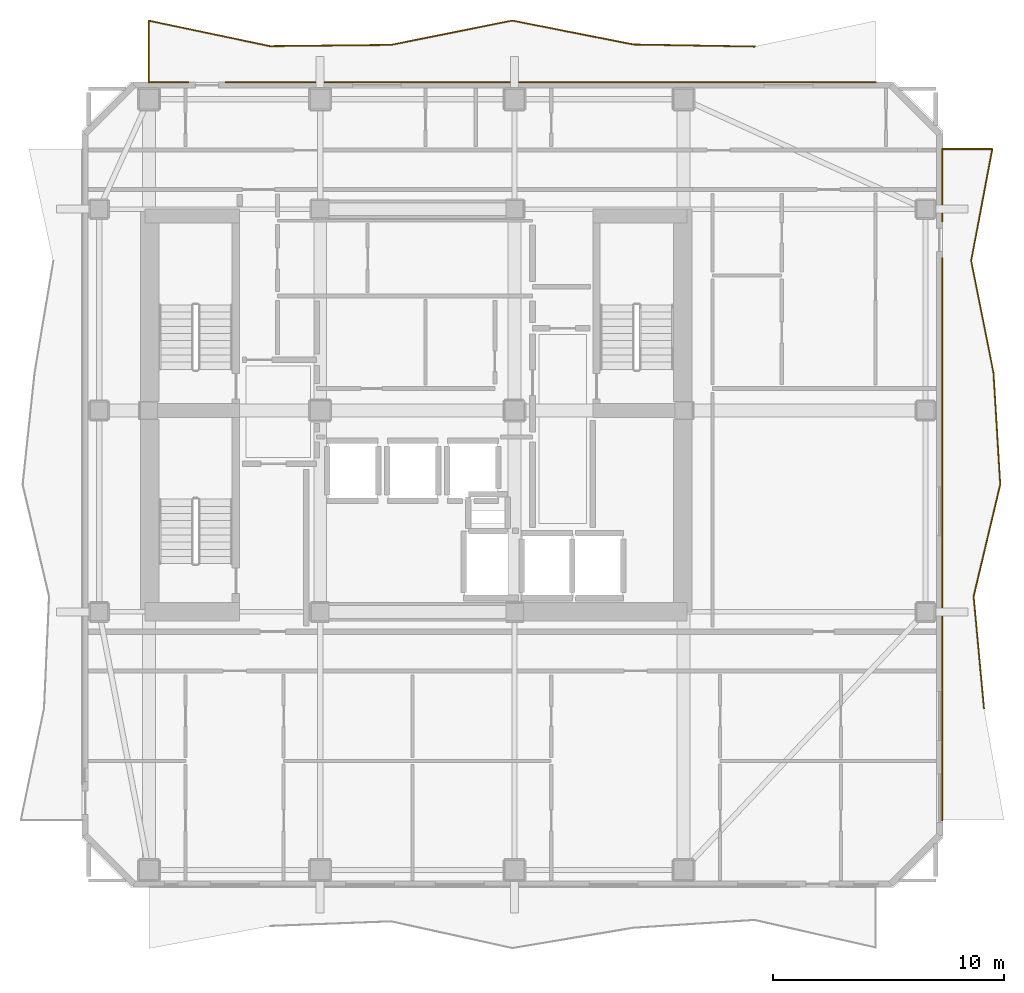
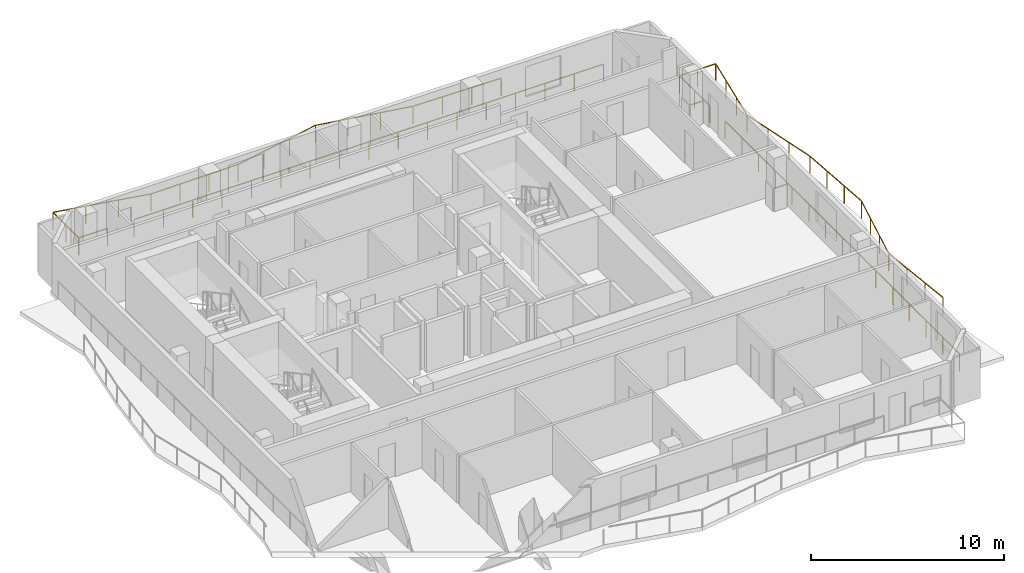
# One storey, part 9 of 9: 4 railings.
"""IFC4 building model written with IfcOpenShell, lengths in metres."""

from ifc_helpers import new_model, si_unit, direction, frame, origin, origin_2d, place, context, subcontext, project, spatial, rectangle, extrude, material, type_object, element, save


model = new_model("IFC4")

# Units and contexts
model_context = context("Model", 3, precision=1e-05, world=origin(), true_north=direction((0.0, 1.0)))
body_context = subcontext(model_context, "Body", "Model", "MODEL_VIEW")
ifc_project = project(units=[si_unit("LENGTHUNIT", "METRE"), si_unit("AREAUNIT", "SQUARE_METRE"), si_unit("VOLUMEUNIT", "CUBIC_METRE"), si_unit("PLANEANGLEUNIT", "RADIAN"), si_unit("MASSUNIT", "GRAM", prefix="KILO")], contexts=[model_context])

# Site, building, storey
site_placement = place(None, origin())
site = spatial("IfcSite", under=ifc_project, at=site_placement, CompositionType="ELEMENT")
building_placement = place(site_placement, origin())
building = spatial("IfcBuilding", under=site, at=building_placement, Name="Solanera Arch Residences", CompositionType="ELEMENT")
storey_placement = place(building_placement, frame((0.0, 0.0, 213.39990234375)))
storey = spatial("IfcBuildingStorey", under=building, at=storey_placement, Name="L62", CompositionType="ELEMENT", Elevation=213.39990234375)

# Railings
ifc_material = material(Name="Steel S355 (ASTM A992 / A572 Grade 50)", Category="steel")
railing_type = type_object("IfcRailingType", Name="Balustrade Railing BL-1100", PredefinedType="BALUSTRADE", material=ifc_material)
railing_1_placement = place(storey_placement, frame((39.56689453125, 46.429931640625, 0.0)))
element("IfcRailing", 1, at=railing_1_placement, inside=storey, type_object=railing_type, Name="L62 N Balcony Balustrade 1", PredefinedType="BALUSTRADE", context=body_context, shape_type="SweptSolid", body=[
    extrude(rectangle(XDim=0.048095703125, YDim=0.048095703125, at=origin_2d()), frame((0.0, 0.0, 1.09619140625), z_axis=(-0.999858249851, 0.016836870426, 0.0), x_axis=(-0.016836870426, -0.999858249851, 0.0)), (0.0, 0.0, 1.0), 5.234619140625),
    extrude(rectangle(XDim=0.048095703125, YDim=0.048095703125, at=origin_2d()), frame((-5.23388671875, 0.088134765625, 1.09619140625), z_axis=(-0.981103535694, 0.193483467639, 0.0), x_axis=(-0.193483467639, -0.981103535694, 0.0)), (0.0, 0.0, 1.0), 5.333740234375),
    extrude(rectangle(XDim=0.048095703125, YDim=0.048095703125, at=origin_2d()), frame((-10.466796875, 1.1201171875, 1.09619140625), z_axis=(-0.980492610512, -0.196555948093, 0.0), x_axis=(0.196555948093, -0.980492610512, 0.0)), (0.0, 0.0, 1.0), 5.337158203125),
    extrude(rectangle(XDim=0.048095703125, YDim=0.048095703125, at=origin_2d()), frame((-15.699951171875, 0.071044921875, 1.09619140625), z_axis=(-0.999944928028, -0.010494804031, 0.0), x_axis=(0.010494804031, -0.999944928028, 0.0)), (0.0, 0.0, 1.0), 5.234130859375),
    extrude(rectangle(XDim=0.048095703125, YDim=0.048095703125, at=origin_2d()), frame((-20.933837890625, 0.01611328125, 1.09619140625), z_axis=(-0.978619966934, 0.205676834665, 0.0), x_axis=(-0.205676834665, -0.978619966934, 0.0)), (0.0, 0.0, 1.0), 5.347412109375),
    extrude(rectangle(XDim=0.048095703125, YDim=0.048095703125, at=origin_2d()), frame((-26.1669921875, 1.115966796875, 1.09619140625), z_axis=(0.0, -1.0, 0.0), x_axis=(1.0, 0.0, 0.0)), (0.0, 0.0, 1.0), 2.666015625),
    extrude(rectangle(XDim=0.048095703125, YDim=0.048095703125, at=origin_2d()), frame((-26.1669921875, -1.550048828125, 1.09619140625), z_axis=(1.0, 0.0, 0.0), x_axis=(0.0, 1.0, 0.0)), (0.0, 0.0, 1.0), 1.710205078125),
    extrude(rectangle(XDim=0.0419921875, YDim=0.0419921875, at=origin_2d()), origin(), (0.0, 0.0, 1.0), 1.072021484375),
    extrude(rectangle(XDim=0.0419921875, YDim=0.0419921875, at=origin_2d()), frame((-1.74462890625, 0.029296875, 0.0)), (0.0, 0.0, 1.0), 1.072021484375),
    extrude(rectangle(XDim=0.0419921875, YDim=0.0419921875, at=origin_2d()), frame((-3.4892578125, 0.058837890625, 0.0)), (0.0, 0.0, 1.0), 1.072021484375),
    extrude(rectangle(XDim=0.0419921875, YDim=0.0419921875, at=origin_2d()), frame((-5.23388671875, 0.088134765625, 0.0)), (0.0, 0.0, 1.0), 1.072021484375),
    extrude(rectangle(XDim=0.0419921875, YDim=0.0419921875, at=origin_2d()), frame((-6.978271484375, 0.43212890625, 0.0)), (0.0, 0.0, 1.0), 1.072021484375),
    extrude(rectangle(XDim=0.0419921875, YDim=0.0419921875, at=origin_2d()), frame((-8.722412109375, 0.776123046875, 0.0)), (0.0, 0.0, 1.0), 1.072021484375),
    extrude(rectangle(XDim=0.0419921875, YDim=0.0419921875, at=origin_2d()), frame((-10.466796875, 1.1201171875, 0.0)), (0.0, 0.0, 1.0), 1.072021484375),
    extrude(rectangle(XDim=0.0419921875, YDim=0.0419921875, at=origin_2d()), frame((-12.211181640625, 0.7705078125, 0.0)), (0.0, 0.0, 1.0), 1.072021484375),
    extrude(rectangle(XDim=0.0419921875, YDim=0.0419921875, at=origin_2d()), frame((-13.95556640625, 0.420654296875, 0.0)), (0.0, 0.0, 1.0), 1.072021484375),
    extrude(rectangle(XDim=0.0419921875, YDim=0.0419921875, at=origin_2d()), frame((-15.699951171875, 0.071044921875, 0.0)), (0.0, 0.0, 1.0), 1.072021484375),
    extrude(rectangle(XDim=0.0419921875, YDim=0.0419921875, at=origin_2d()), frame((-17.444580078125, 0.052734375, 0.0)), (0.0, 0.0, 1.0), 1.072021484375),
    extrude(rectangle(XDim=0.0419921875, YDim=0.0419921875, at=origin_2d()), frame((-19.189208984375, 0.034423828125, 0.0)), (0.0, 0.0, 1.0), 1.072021484375),
    extrude(rectangle(XDim=0.0419921875, YDim=0.0419921875, at=origin_2d()), frame((-20.933837890625, 0.01611328125, 0.0)), (0.0, 0.0, 1.0), 1.072021484375),
    extrude(rectangle(XDim=0.0419921875, YDim=0.0419921875, at=origin_2d()), frame((-22.67822265625, 0.3828125, 0.0)), (0.0, 0.0, 1.0), 1.072021484375),
    extrude(rectangle(XDim=0.0419921875, YDim=0.0419921875, at=origin_2d()), frame((-24.422607421875, 0.749267578125, 0.0)), (0.0, 0.0, 1.0), 1.072021484375),
    extrude(rectangle(XDim=0.0419921875, YDim=0.0419921875, at=origin_2d()), frame((-26.1669921875, 1.115966796875, 0.0)), (0.0, 0.0, 1.0), 1.072021484375),
    extrude(rectangle(XDim=0.0419921875, YDim=0.0419921875, at=origin_2d()), frame((-26.1669921875, -0.217041015625, 0.0)), (0.0, 0.0, 1.0), 1.072021484375),
    extrude(rectangle(XDim=0.0419921875, YDim=0.0419921875, at=origin_2d()), frame((-26.1669921875, -1.550048828125, 0.0)), (0.0, 0.0, 1.0), 1.072021484375),
    extrude(rectangle(XDim=0.0419921875, YDim=0.0419921875, at=origin_2d()), frame((-24.456787109375, -1.550048828125, 0.0)), (0.0, 0.0, 1.0), 1.072021484375),
])
railing_2_placement = place(storey_placement, frame((16.7099609375, 44.8798828125, 0.0)))
element("IfcRailing", 2, at=railing_2_placement, inside=storey, type_object=railing_type, Name="L62 N Balcony Balustrade 2", PredefinedType="BALUSTRADE", context=body_context, shape_type="SweptSolid", body=[
    extrude(rectangle(XDim=0.048095703125, YDim=0.048095703125, at=origin_2d()), frame((0.0, 0.0, 1.09619140625), z_axis=(1.0, 0.0, 0.0), x_axis=(0.0, 1.0, 0.0)), (0.0, 0.0, 1.0), 28.090087890625),
    extrude(rectangle(XDim=0.0419921875, YDim=0.0419921875, at=origin_2d()), origin(), (0.0, 0.0, 1.0), 1.072021484375),
    extrude(rectangle(XDim=0.0419921875, YDim=0.0419921875, at=origin_2d()), frame((1.755615234375, 0.0, 0.0)), (0.0, 0.0, 1.0), 1.072021484375),
    extrude(rectangle(XDim=0.0419921875, YDim=0.0419921875, at=origin_2d()), frame((3.51123046875, 0.0, 0.0)), (0.0, 0.0, 1.0), 1.072021484375),
    extrude(rectangle(XDim=0.0419921875, YDim=0.0419921875, at=origin_2d()), frame((5.266845703125, 0.0, 0.0)), (0.0, 0.0, 1.0), 1.072021484375),
    extrude(rectangle(XDim=0.0419921875, YDim=0.0419921875, at=origin_2d()), frame((7.0224609375, 0.0, 0.0)), (0.0, 0.0, 1.0), 1.072021484375),
    extrude(rectangle(XDim=0.0419921875, YDim=0.0419921875, at=origin_2d()), frame((8.778076171875, 0.0, 0.0)), (0.0, 0.0, 1.0), 1.072021484375),
    extrude(rectangle(XDim=0.0419921875, YDim=0.0419921875, at=origin_2d()), frame((10.53369140625, 0.0, 0.0)), (0.0, 0.0, 1.0), 1.072021484375),
    extrude(rectangle(XDim=0.0419921875, YDim=0.0419921875, at=origin_2d()), frame((12.289306640625, 0.0, 0.0)), (0.0, 0.0, 1.0), 1.072021484375),
    extrude(rectangle(XDim=0.0419921875, YDim=0.0419921875, at=origin_2d()), frame((14.044921875, 0.0, 0.0)), (0.0, 0.0, 1.0), 1.072021484375),
    extrude(rectangle(XDim=0.0419921875, YDim=0.0419921875, at=origin_2d()), frame((15.80078125, 0.0, 0.0)), (0.0, 0.0, 1.0), 1.072021484375),
    extrude(rectangle(XDim=0.0419921875, YDim=0.0419921875, at=origin_2d()), frame((17.556396484375, 0.0, 0.0)), (0.0, 0.0, 1.0), 1.072021484375),
    extrude(rectangle(XDim=0.0419921875, YDim=0.0419921875, at=origin_2d()), frame((19.31201171875, 0.0, 0.0)), (0.0, 0.0, 1.0), 1.072021484375),
    extrude(rectangle(XDim=0.0419921875, YDim=0.0419921875, at=origin_2d()), frame((21.067626953125, 0.0, 0.0)), (0.0, 0.0, 1.0), 1.072021484375),
    extrude(rectangle(XDim=0.0419921875, YDim=0.0419921875, at=origin_2d()), frame((22.8232421875, 0.0, 0.0)), (0.0, 0.0, 1.0), 1.072021484375),
    extrude(rectangle(XDim=0.0419921875, YDim=0.0419921875, at=origin_2d()), frame((24.578857421875, 0.0, 0.0)), (0.0, 0.0, 1.0), 1.072021484375),
    extrude(rectangle(XDim=0.0419921875, YDim=0.0419921875, at=origin_2d()), frame((26.33447265625, 0.0, 0.0)), (0.0, 0.0, 1.0), 1.072021484375),
    extrude(rectangle(XDim=0.0419921875, YDim=0.0419921875, at=origin_2d()), frame((28.090087890625, 0.0, 0.0)), (0.0, 0.0, 1.0), 1.072021484375),
])
railing_3_placement = place(storey_placement, frame((49.48291015625, 17.8330078125, 0.0)))
element("IfcRailing", 3, at=railing_3_placement, inside=storey, type_object=railing_type, Name="L62 E Balcony Balustrade 1", PredefinedType="BALUSTRADE", context=body_context, shape_type="SweptSolid", body=[
    extrude(rectangle(XDim=0.048095703125, YDim=0.048095703125, at=origin_2d()), frame((0.0, 0.0, 1.09619140625), z_axis=(-0.092281313669, 0.995732975826, 0.0), x_axis=(-0.995732975826, -0.092281313669, 0.0)), (0.0, 0.0, 1.0), 4.854736328125),
    extrude(rectangle(XDim=0.048095703125, YDim=0.048095703125, at=origin_2d()), frame((-0.447998046875, 4.833984375, 1.09619140625), z_axis=(0.231698033775, 0.972787757501, 0.0), x_axis=(-0.972787757501, 0.231698033775, 0.0)), (0.0, 0.0, 1.0), 4.96826171875),
    extrude(rectangle(XDim=0.048095703125, YDim=0.048095703125, at=origin_2d()), frame((0.703125, 9.6669921875, 1.09619140625), z_axis=(-0.060306283291, 0.998179919752, 0.0), x_axis=(-0.998179919752, -0.060306283291, 0.0)), (0.0, 0.0, 1.0), 4.841796875),
    extrude(rectangle(XDim=0.048095703125, YDim=0.048095703125, at=origin_2d()), frame((0.4111328125, 14.5, 1.09619140625), z_axis=(-0.195401686752, 0.980723294724, 0.0), x_axis=(-0.980723294724, -0.195401686752, 0.0)), (0.0, 0.0, 1.0), 4.928955078125),
    extrude(rectangle(XDim=0.048095703125, YDim=0.048095703125, at=origin_2d()), frame((-0.552001953125, 19.333984375, 1.09619140625), z_axis=(0.185259531892, 0.98268962844, 0.0), x_axis=(-0.98268962844, 0.185259531892, 0.0)), (0.0, 0.0, 1.0), 4.918212890625),
    extrude(rectangle(XDim=0.048095703125, YDim=0.048095703125, at=origin_2d()), frame((0.359130859375, 24.1669921875, 1.09619140625), z_axis=(-1.0, 0.0, 0.0), x_axis=(0.0, -1.0, 0.0)), (0.0, 0.0, 1.0), 2.162109375),
    extrude(rectangle(XDim=0.048095703125, YDim=0.048095703125, at=origin_2d()), frame((-1.802978515625, 24.1669921875, 1.09619140625), z_axis=(0.0, -1.0, 0.0), x_axis=(1.0, 0.0, 0.0)), (0.0, 0.0, 1.0), 3.126953125),
    extrude(rectangle(XDim=0.0419921875, YDim=0.0419921875, at=origin_2d()), origin(), (0.0, 0.0, 1.0), 1.072021484375),
    extrude(rectangle(XDim=0.0419921875, YDim=0.0419921875, at=origin_2d()), frame((-0.1494140625, 1.611328125, 0.0)), (0.0, 0.0, 1.0), 1.072021484375),
    extrude(rectangle(XDim=0.0419921875, YDim=0.0419921875, at=origin_2d()), frame((-0.298583984375, 3.22265625, 0.0)), (0.0, 0.0, 1.0), 1.072021484375),
    extrude(rectangle(XDim=0.0419921875, YDim=0.0419921875, at=origin_2d()), frame((-0.447998046875, 4.833984375, 0.0)), (0.0, 0.0, 1.0), 1.072021484375),
    extrude(rectangle(XDim=0.0419921875, YDim=0.0419921875, at=origin_2d()), frame((-0.064208984375, 6.445068359375, 0.0)), (0.0, 0.0, 1.0), 1.072021484375),
    extrude(rectangle(XDim=0.0419921875, YDim=0.0419921875, at=origin_2d()), frame((0.3193359375, 8.055908203125, 0.0)), (0.0, 0.0, 1.0), 1.072021484375),
    extrude(rectangle(XDim=0.0419921875, YDim=0.0419921875, at=origin_2d()), frame((0.703125, 9.6669921875, 0.0)), (0.0, 0.0, 1.0), 1.072021484375),
    extrude(rectangle(XDim=0.0419921875, YDim=0.0419921875, at=origin_2d()), frame((0.605712890625, 11.278076171875, 0.0)), (0.0, 0.0, 1.0), 1.072021484375),
    extrude(rectangle(XDim=0.0419921875, YDim=0.0419921875, at=origin_2d()), frame((0.508544921875, 12.888916015625, 0.0)), (0.0, 0.0, 1.0), 1.072021484375),
    extrude(rectangle(XDim=0.0419921875, YDim=0.0419921875, at=origin_2d()), frame((0.4111328125, 14.5, 0.0)), (0.0, 0.0, 1.0), 1.072021484375),
    extrude(rectangle(XDim=0.0419921875, YDim=0.0419921875, at=origin_2d()), frame((0.090087890625, 16.111328125, 0.0)), (0.0, 0.0, 1.0), 1.072021484375),
    extrude(rectangle(XDim=0.0419921875, YDim=0.0419921875, at=origin_2d()), frame((-0.23095703125, 17.72265625, 0.0)), (0.0, 0.0, 1.0), 1.072021484375),
    extrude(rectangle(XDim=0.0419921875, YDim=0.0419921875, at=origin_2d()), frame((-0.552001953125, 19.333984375, 0.0)), (0.0, 0.0, 1.0), 1.072021484375),
    extrude(rectangle(XDim=0.0419921875, YDim=0.0419921875, at=origin_2d()), frame((-0.248291015625, 20.945068359375, 0.0)), (0.0, 0.0, 1.0), 1.072021484375),
    extrude(rectangle(XDim=0.0419921875, YDim=0.0419921875, at=origin_2d()), frame((0.055419921875, 22.555908203125, 0.0)), (0.0, 0.0, 1.0), 1.072021484375),
    extrude(rectangle(XDim=0.0419921875, YDim=0.0419921875, at=origin_2d()), frame((0.359130859375, 24.1669921875, 0.0)), (0.0, 0.0, 1.0), 1.072021484375),
    extrude(rectangle(XDim=0.0419921875, YDim=0.0419921875, at=origin_2d()), frame((-0.721923828125, 24.1669921875, 0.0)), (0.0, 0.0, 1.0), 1.072021484375),
    extrude(rectangle(XDim=0.0419921875, YDim=0.0419921875, at=origin_2d()), frame((-1.802978515625, 24.1669921875, 0.0)), (0.0, 0.0, 1.0), 1.072021484375),
    extrude(rectangle(XDim=0.0419921875, YDim=0.0419921875, at=origin_2d()), frame((-1.802978515625, 22.603515625, 0.0)), (0.0, 0.0, 1.0), 1.072021484375),
    extrude(rectangle(XDim=0.0419921875, YDim=0.0419921875, at=origin_2d()), frame((-1.802978515625, 21.0400390625, 0.0)), (0.0, 0.0, 1.0), 1.072021484375),
])
railing_4_placement = place(storey_placement, frame((47.679931640625, 37.27294921875, 0.0)))
element("IfcRailing", 4, at=railing_4_placement, inside=storey, type_object=railing_type, Name="L62 E Balcony Balustrade 2", PredefinedType="BALUSTRADE", context=body_context, shape_type="SweptSolid", body=[
    extrude(rectangle(XDim=0.048095703125, YDim=0.048095703125, at=origin_2d()), frame((0.0, 0.0, 1.09619140625), z_axis=(0.0, -1.0, 0.0), x_axis=(1.0, 0.0, 0.0)), (0.0, 0.0, 1.0), 24.27294921875),
    extrude(rectangle(XDim=0.0419921875, YDim=0.0419921875, at=origin_2d()), origin(), (0.0, 0.0, 1.0), 1.072021484375),
    extrude(rectangle(XDim=0.0419921875, YDim=0.0419921875, at=origin_2d()), frame((0.0, -1.73388671875, 0.0)), (0.0, 0.0, 1.0), 1.072021484375),
    extrude(rectangle(XDim=0.0419921875, YDim=0.0419921875, at=origin_2d()), frame((0.0, -3.467529296875, 0.0)), (0.0, 0.0, 1.0), 1.072021484375),
    extrude(rectangle(XDim=0.0419921875, YDim=0.0419921875, at=origin_2d()), frame((0.0, -5.201416015625, 0.0)), (0.0, 0.0, 1.0), 1.072021484375),
    extrude(rectangle(XDim=0.0419921875, YDim=0.0419921875, at=origin_2d()), frame((0.0, -6.93505859375, 0.0)), (0.0, 0.0, 1.0), 1.072021484375),
    extrude(rectangle(XDim=0.0419921875, YDim=0.0419921875, at=origin_2d()), frame((0.0, -8.6689453125, 0.0)), (0.0, 0.0, 1.0), 1.072021484375),
    extrude(rectangle(XDim=0.0419921875, YDim=0.0419921875, at=origin_2d()), frame((0.0, -10.402587890625, 0.0)), (0.0, 0.0, 1.0), 1.072021484375),
    extrude(rectangle(XDim=0.0419921875, YDim=0.0419921875, at=origin_2d()), frame((0.0, -12.136474609375, 0.0)), (0.0, 0.0, 1.0), 1.072021484375),
    extrude(rectangle(XDim=0.0419921875, YDim=0.0419921875, at=origin_2d()), frame((0.0, -13.870361328125, 0.0)), (0.0, 0.0, 1.0), 1.072021484375),
    extrude(rectangle(XDim=0.0419921875, YDim=0.0419921875, at=origin_2d()), frame((0.0, -15.60400390625, 0.0)), (0.0, 0.0, 1.0), 1.072021484375),
    extrude(rectangle(XDim=0.0419921875, YDim=0.0419921875, at=origin_2d()), frame((0.0, -17.337890625, 0.0)), (0.0, 0.0, 1.0), 1.072021484375),
    extrude(rectangle(XDim=0.0419921875, YDim=0.0419921875, at=origin_2d()), frame((0.0, -19.071533203125, 0.0)), (0.0, 0.0, 1.0), 1.072021484375),
    extrude(rectangle(XDim=0.0419921875, YDim=0.0419921875, at=origin_2d()), frame((0.0, -20.805419921875, 0.0)), (0.0, 0.0, 1.0), 1.072021484375),
    extrude(rectangle(XDim=0.0419921875, YDim=0.0419921875, at=origin_2d()), frame((0.0, -22.5390625, 0.0)), (0.0, 0.0, 1.0), 1.072021484375),
    extrude(rectangle(XDim=0.0419921875, YDim=0.0419921875, at=origin_2d()), frame((0.0, -24.27294921875, 0.0)), (0.0, 0.0, 1.0), 1.072021484375),
])

save(model, "model.ifc")
